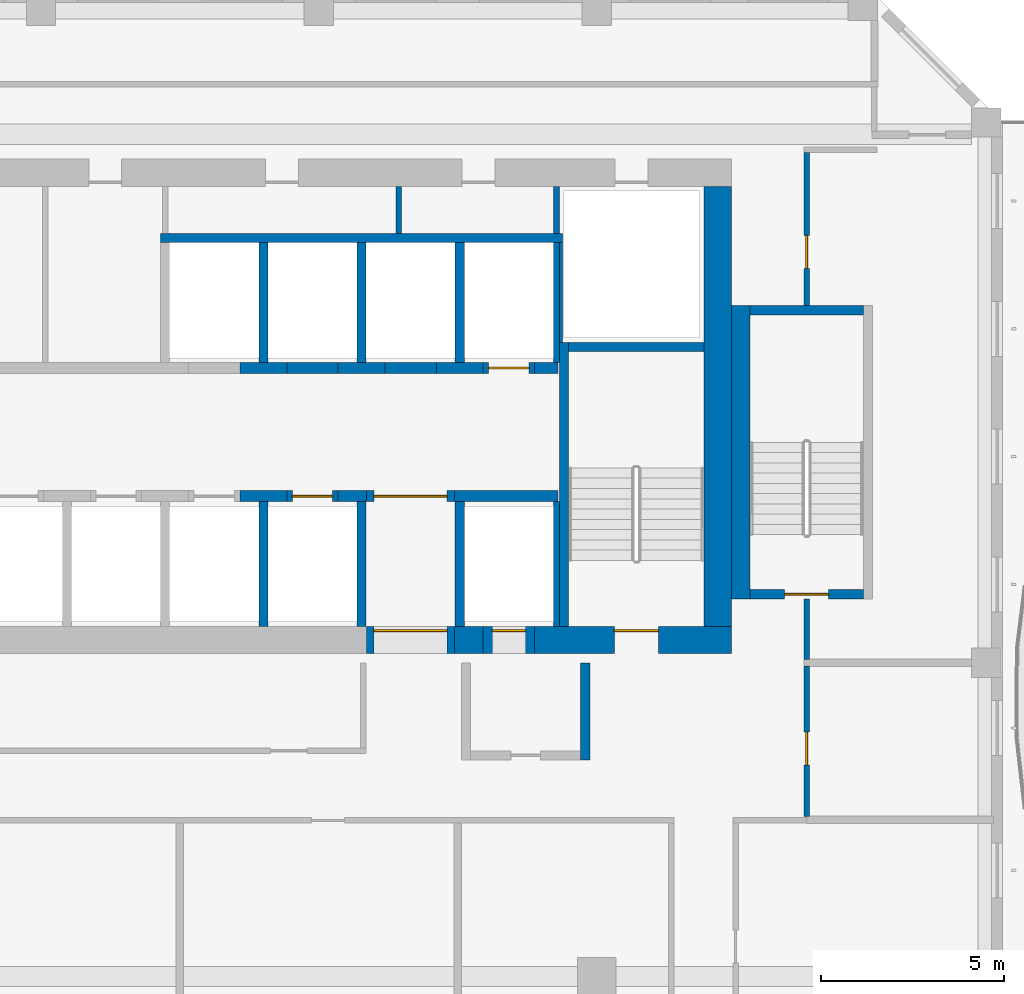
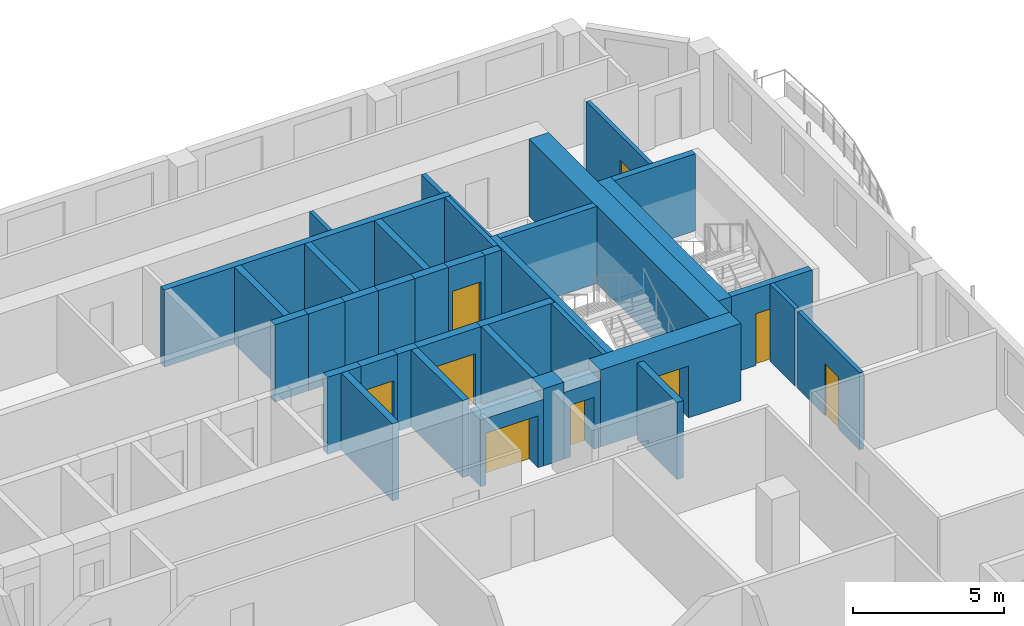
# One storey, part 9 of 21: 38 walls, 9 doors, 9 openings.
"""IFC4 building model written with IfcOpenShell, lengths in metres."""

from ifc_helpers import new_model, si_unit, direction, frame, frame_2d, origin, place, context, subcontext, project, spatial, rectangle, extrude, source, transform, mapped, material, layer, layer_set, type_object, element, fill, save


model = new_model("IFC4")

# Units and contexts
model_context = context("Model", 3, precision=1e-05, world=origin(), true_north=direction((0.0, 1.0)))
body_context = subcontext(model_context, "Body", "Model", "MODEL_VIEW")
ifc_project = project(units=[si_unit("LENGTHUNIT", "METRE"), si_unit("AREAUNIT", "SQUARE_METRE"), si_unit("VOLUMEUNIT", "CUBIC_METRE"), si_unit("PLANEANGLEUNIT", "RADIAN"), si_unit("MASSUNIT", "GRAM", prefix="KILO")], contexts=[model_context])

# Site, building, storey
site_placement = place(None, origin())
site = spatial("IfcSite", under=ifc_project, at=site_placement, CompositionType="ELEMENT")
building_placement = place(site_placement, origin())
building = spatial("IfcBuilding", under=site, at=building_placement, Name="Kilnfold Tower and Market Hall", CompositionType="ELEMENT")
storey_placement = place(building_placement, frame((0.0, 0.0, 185.5)))
storey = spatial("IfcBuildingStorey", under=building, at=storey_placement, Name="L44", CompositionType="ELEMENT", Elevation=185.5)

# Wall, opening, door
ifc_material_1 = material(Name="Gypsum board on steel studs", Category="steel")
ifc_layer_1 = layer(ifc_material_1, 0.14990234375)
ifc_layer_set_1 = layer_set([ifc_layer_1], Name="Gypsum board on steel studs")
wall_type_1 = type_object("IfcWallType", Name="WALL CORRIDOR 150", PredefinedType="PARTITIONING", material=ifc_layer_set_1)
wall_1_placement = place(storey_placement, frame((19.89990234375, 3.80908203125, 0.0), z_axis=(0.0, 0.0, 1.0), x_axis=(0.0, 1.0, 0.0)))
wall_1 = element("IfcWall", 1, at=wall_1_placement, inside=storey, type_object=wall_type_1, Name="Partition LY27.29", PredefinedType="PARTITIONING", context=body_context, shape_type="SweptSolid", body=[
    extrude(rectangle(XDim=4.100830078125, YDim=0.14990234375, at=frame_2d((2.05029296875, 0.0))), origin(), (0.0, 0.0, 1.0), 3.1201171875),
])
opening_1_placement = place(wall_1_placement, frame((1.39990234375, 0.0, 0.0)))
opening_1 = element("IfcOpeningElement", 2, at=opening_1_placement, cuts=wall_1, Name="Opening D2", PredefinedType="OPENING", context=body_context, shape_type="SweptSolid", body=[
    extrude(rectangle(XDim=0.89990234375, YDim=2.10009765625, at=frame_2d((0.449951171875, 1.050048828125))), frame((0.0, 0.0849609375, 0.0), z_axis=(0.0, -1.0, 0.0), x_axis=(1.0, 0.0, 0.0)), (0.0, 0.0, 1.0), 0.169921875),
])
ifc_material_2 = material(Name="Timber veneer door leaf in steel frame", Category="steel")
door_type_1 = type_object("IfcDoorType", Name="DOOR ROOM 900 X2100", OperationType="NOTDEFINED", PredefinedType="DOOR", material=ifc_material_2)
door_1_placement = place(opening_1_placement, origin())
door_1 = element("IfcDoor", 3, at=door_1_placement, inside=storey, type_object=door_type_1, Name="Door D2", OperationType="SINGLE_SWING_LEFT", OverallHeight=2.10009765625, OverallWidth=0.89990234375, PredefinedType="DOOR", context=body_context, shape_type="SweptSolid", body=[
    extrude(rectangle(XDim=0.89990234375, YDim=2.10009765625, at=frame_2d((0.449951171875, 1.050048828125))), frame((0.0, 0.02490234375, 0.0), z_axis=(0.0, -1.0, 0.0), x_axis=(1.0, 0.0, 0.0)), (0.0, 0.0, 1.0), 0.050048828125),
])
fill(opening_1, door_1)

wall_2_placement = place(storey_placement, frame((19.89990234375, 17.75, 0.0), z_axis=(0.0, 0.0, 1.0), x_axis=(0.0, 1.0, 0.0)))
wall_2 = element("IfcWall", 4, at=wall_2_placement, inside=storey, type_object=wall_type_1, Name="Partition LY27.31", PredefinedType="PARTITIONING", context=body_context, shape_type="SweptSolid", body=[
    extrude(rectangle(XDim=4.175048828125, YDim=0.14990234375, at=frame_2d((2.08740234375, 0.0))), origin(), (0.0, 0.0, 1.0), 3.1201171875),
])
opening_2_placement = place(wall_2_placement, frame((1.02099609375, 0.0, 0.0)))
opening_2 = element("IfcOpeningElement", 5, at=opening_2_placement, cuts=wall_2, Name="Opening D2", PredefinedType="OPENING", context=body_context, shape_type="SweptSolid", body=[
    extrude(rectangle(XDim=0.89990234375, YDim=2.10009765625, at=frame_2d((0.449951171875, 1.050048828125))), frame((0.0, 0.0849609375, 0.0), z_axis=(0.0, -1.0, 0.0), x_axis=(1.0, 0.0, 0.0)), (0.0, 0.0, 1.0), 0.169921875),
])
door_2_placement = place(opening_2_placement, origin())
door_2 = element("IfcDoor", 6, at=door_2_placement, inside=storey, type_object=door_type_1, Name="Door D2", OperationType="SINGLE_SWING_LEFT", OverallHeight=2.10009765625, OverallWidth=0.89990234375, PredefinedType="DOOR", context=body_context, shape_type="SweptSolid", body=[
    extrude(rectangle(XDim=0.89990234375, YDim=2.10009765625, at=frame_2d((0.449951171875, 1.050048828125))), frame((0.0, 0.02490234375, 0.0), z_axis=(0.0, -1.0, 0.0), x_axis=(1.0, 0.0, 0.0)), (0.0, 0.0, 1.0), 0.050048828125),
])
fill(opening_2, door_2)

# Walls
wall_3_placement = place(storey_placement, frame((19.89990234375, 8.090087890625, 0.0), z_axis=(0.0, 0.0, 1.0), x_axis=(0.0, 1.0, 0.0)))
element("IfcWall", 7, at=wall_3_placement, inside=storey, type_object=wall_type_1, Name="Partition LY27.32", PredefinedType="PARTITIONING", context=body_context, shape_type="SweptSolid", body=[
    extrude(rectangle(XDim=1.659912109375, YDim=0.14990234375, at=frame_2d((0.830078125, 0.0))), origin(), (0.0, 0.0, 1.0), 3.1201171875),
])
ifc_material_3 = material(Name="Concrete C60", Category="concrete")
ifc_layer_2 = layer(ifc_material_3, 0.25)
ifc_layer_set_2 = layer_set([ifc_layer_2], Name="Concrete C60")
wall_type_2 = type_object("IfcWallType", Name="CORE WALL 250 C60", PredefinedType="SHEAR", material=ifc_layer_set_2)
shared_shape_1 = source(origin(), body_context, "Body", "SweptSolid", [
    extrude(rectangle(XDim=7.75, YDim=0.25, at=frame_2d((3.875, 0.0))), origin(), (0.0, 0.0, 1.0), 3.1201171875),
])
wall_4_placement = place(storey_placement, frame((13.27490234375, 9.0, 0.0), z_axis=(0.0, 0.0, 1.0), x_axis=(0.0, 1.0, 0.0)))
element("IfcWall", 8, at=wall_4_placement, inside=storey, type_object=wall_type_2, Name="Stair enclosure ST2", PredefinedType="SHEAR", context=body_context, shape_type="MappedRepresentation", body=[
    mapped(shared_shape_1, transform((0.0, 0.0, 0.0))),
])
shared_shape_2 = source(origin(), body_context, "Body", "SweptSolid", [
    extrude(rectangle(XDim=3.7001953125, YDim=0.25, at=frame_2d((1.85009765625, 0.0))), origin(), (0.0, 0.0, 1.0), 3.1201171875),
])
wall_5_placement = place(storey_placement, frame((13.39990234375, 16.625, 0.0), z_axis=(0.0, 0.0, 1.0), x_axis=(1.0, 0.0, 0.0)))
element("IfcWall", 9, at=wall_5_placement, inside=storey, type_object=wall_type_2, Name="Stair enclosure ST2", PredefinedType="SHEAR", context=body_context, shape_type="MappedRepresentation", body=[
    mapped(shared_shape_2, transform((0.0, 0.0, 0.0))),
])

# Wall, opening, door
shared_shape_3 = source(origin(), body_context, "Body", "SweptSolid", [
    extrude(rectangle(XDim=3.099853515625, YDim=0.25, at=frame_2d((1.5498046875, 0.0))), origin(), (0.0, 0.0, 1.0), 3.1201171875),
])
wall_6_placement = place(storey_placement, frame((18.35009765625, 9.875, 0.0), z_axis=(0.0, 0.0, 1.0), x_axis=(1.0, 0.0, 0.0)))
wall_6 = element("IfcWall", 10, at=wall_6_placement, inside=storey, type_object=wall_type_2, Name="Stair enclosure ST5", PredefinedType="SHEAR", context=body_context, shape_type="MappedRepresentation", body=[
    mapped(shared_shape_3, transform((0.0, 0.0, 0.0))),
])
opening_3_placement = place(wall_6_placement, frame((0.949951171875, 0.0, 0.0)))
opening_3 = element("IfcOpeningElement", 11, at=opening_3_placement, cuts=wall_6, Name="Opening SD1", PredefinedType="OPENING", context=body_context, shape_type="SweptSolid", body=[
    extrude(rectangle(XDim=1.199951171875, YDim=2.10009765625, at=frame_2d((0.60009765625, 1.050048828125))), frame((0.0, 0.135009765625, 0.0), z_axis=(0.0, -1.0, 0.0), x_axis=(1.0, 0.0, 0.0)), (0.0, 0.0, 1.0), 0.27001953125),
])
ifc_material_4 = material(Name="Steel door set with fire-resisting leaf", Category="steel")
door_type_2 = type_object("IfcDoorType", Name="STAIR FLOOR DOOR 1200X2100", OperationType="NOTDEFINED", PredefinedType="DOOR", material=ifc_material_4)
door_3_placement = place(opening_3_placement, origin())
door_3 = element("IfcDoor", 12, at=door_3_placement, inside=storey, type_object=door_type_2, Name="Exit stair ST5 door", OperationType="DOUBLE_DOOR_SINGLE_SWING", OverallHeight=2.10009765625, OverallWidth=1.199951171875, PredefinedType="DOOR", context=body_context, shape_type="SweptSolid", body=[
    extrude(rectangle(XDim=1.199951171875, YDim=2.10009765625, at=frame_2d((0.60009765625, 1.050048828125))), frame((0.0, 0.02490234375, 0.0), z_axis=(0.0, -1.0, 0.0), x_axis=(1.0, 0.0, 0.0)), (0.0, 0.0, 1.0), 0.050048828125),
])
fill(opening_3, door_3)

# Walls
wall_7_placement = place(storey_placement, frame((18.35009765625, 17.625, 0.0), z_axis=(0.0, 0.0, 1.0), x_axis=(1.0, 0.0, 0.0)))
element("IfcWall", 13, at=wall_7_placement, inside=storey, type_object=wall_type_2, Name="Stair enclosure ST5", PredefinedType="SHEAR", context=body_context, shape_type="MappedRepresentation", body=[
    mapped(shared_shape_3, transform((0.0, 0.0, 0.0))),
])
ifc_material_5 = material(Name="Concrete C60", Category="concrete")
ifc_layer_3 = layer(ifc_material_5, 0.300048828125)
ifc_layer_set_3 = layer_set([ifc_layer_3], Name="Concrete C60")
wall_type_3 = type_object("IfcWallType", Name="CORE WALL 300 C60", PredefinedType="SHEAR", material=ifc_layer_set_3)
shared_shape_4 = source(origin(), body_context, "Body", "SweptSolid", [
    extrude(rectangle(XDim=1.280029296875, YDim=0.300048828125, at=frame_2d((0.64013671875, 0.0))), origin(), (0.0, 0.0, 1.0), 3.1201171875),
])
for number, where, z_axis, x_axis, name in (
    (14, (4.429931640625, 12.550048828125, 0.0), (0.0, 0.0, 1.0), (1.0, 0.0, 0.0), "Core spine wall"),
    (15, (4.429931640625, 16.050048828125, 0.0), (0.0, 0.0, 1.0), (1.0, 0.0, 0.0), "Core spine wall"),
    (16, (9.7900390625, 16.050048828125, 0.0), (0.0, 0.0, 1.0), (1.0, 0.0, 0.0), "Core spine wall"),
):
    element("IfcWall", number, at=place(storey_placement, frame(where, z_axis=z_axis, x_axis=x_axis)), inside=storey, type_object=wall_type_3, Name=name, PredefinedType="SHEAR", context=body_context, shape_type="MappedRepresentation", body=[
        mapped(shared_shape_4, transform((0.0, 0.0, 0.0))),
    ])
shared_shape_5 = source(origin(), body_context, "Body", "SweptSolid", [
    extrude(rectangle(XDim=0.77978515625, YDim=0.300048828125, at=frame_2d((0.389892578125, 0.0))), origin(), (0.0, 0.0, 1.0), 3.1201171875),
])
wall_8_placement = place(storey_placement, frame((7.110107421875, 12.550048828125, 0.0), z_axis=(0.0, 0.0, 1.0), x_axis=(1.0, 0.0, 0.0)))
element("IfcWall", 17, at=wall_8_placement, inside=storey, type_object=wall_type_3, Name="Core spine wall", PredefinedType="SHEAR", context=body_context, shape_type="MappedRepresentation", body=[
    mapped(shared_shape_5, transform((0.0, 0.0, 0.0))),
])
shared_shape_6 = source(origin(), body_context, "Body", "SweptSolid", [
    extrude(rectangle(XDim=2.820068359375, YDim=0.300048828125, at=frame_2d((1.41015625, 0.0))), origin(), (0.0, 0.0, 1.0), 3.1201171875),
])
wall_9_placement = place(storey_placement, frame((10.2900390625, 12.550048828125, 0.0), z_axis=(0.0, 0.0, 1.0), x_axis=(1.0, 0.0, 0.0)))
element("IfcWall", 18, at=wall_9_placement, inside=storey, type_object=wall_type_3, Name="Core spine wall", PredefinedType="SHEAR", context=body_context, shape_type="MappedRepresentation", body=[
    mapped(shared_shape_6, transform((0.0, 0.0, 0.0))),
])
shared_shape_7 = source(origin(), body_context, "Body", "SweptSolid", [
    extrude(rectangle(XDim=1.27978515625, YDim=0.300048828125, at=frame_2d((0.639892578125, 0.0))), origin(), (0.0, 0.0, 1.0), 3.1201171875),
])
wall_10_placement = place(storey_placement, frame((7.110107421875, 16.050048828125, 0.0), z_axis=(0.0, 0.0, 1.0), x_axis=(1.0, 0.0, 0.0)))
element("IfcWall", 19, at=wall_10_placement, inside=storey, type_object=wall_type_3, Name="Core spine wall", PredefinedType="SHEAR", context=body_context, shape_type="MappedRepresentation", body=[
    mapped(shared_shape_7, transform((0.0, 0.0, 0.0))),
])
shared_shape_8 = source(origin(), body_context, "Body", "SweptSolid", [
    extrude(rectangle(XDim=0.64013671875, YDim=0.300048828125, at=frame_2d((0.320068359375, 0.0))), origin(), (0.0, 0.0, 1.0), 3.1201171875),
])
wall_11_placement = place(storey_placement, frame((12.469970703125, 16.050048828125, 0.0), z_axis=(0.0, 0.0, 1.0), x_axis=(1.0, 0.0, 0.0)))
element("IfcWall", 20, at=wall_11_placement, inside=storey, type_object=wall_type_3, Name="Core spine wall", PredefinedType="SHEAR", context=body_context, shape_type="MappedRepresentation", body=[
    mapped(shared_shape_8, transform((0.0, 0.0, 0.0))),
])
ifc_material_6 = material(Name="Concrete C60", Category="concrete")
ifc_layer_4 = layer(ifc_material_6, 0.75)
ifc_layer_set_4 = layer_set([ifc_layer_4], Name="Concrete C60")
wall_type_4 = type_object("IfcWallType", Name="CORE WALL 750 C60", PredefinedType="SHEAR", material=ifc_layer_set_4)
shared_shape_9 = source(origin(), body_context, "Body", "SweptSolid", [
    extrude(rectangle(XDim=0.780029296875, YDim=0.75, at=frame_2d((0.39013671875, 0.0))), origin(), (0.0, 0.0, 1.0), 3.1201171875),
])
wall_12_placement = place(storey_placement, frame((10.2900390625, 8.625, 0.0), z_axis=(0.0, 0.0, 1.0), x_axis=(1.0, 0.0, 0.0)))
element("IfcWall", 21, at=wall_12_placement, inside=storey, type_object=wall_type_4, Name="Core outer wall south", PredefinedType="SHEAR", context=body_context, shape_type="MappedRepresentation", body=[
    mapped(shared_shape_9, transform((0.0, 0.0, 0.0))),
])

# Wall, opening, door
shared_shape_10 = source(origin(), body_context, "Body", "SweptSolid", [
    extrude(rectangle(XDim=5.380126953125, YDim=0.75, at=frame_2d((2.68994140625, 0.0))), origin(), (0.0, 0.0, 1.0), 3.1201171875),
])
wall_13_placement = place(storey_placement, frame((12.469970703125, 8.625, 0.0), z_axis=(0.0, 0.0, 1.0), x_axis=(1.0, 0.0, 0.0)))
wall_13 = element("IfcWall", 22, at=wall_13_placement, inside=storey, type_object=wall_type_4, Name="Core outer wall south", PredefinedType="SHEAR", context=body_context, shape_type="MappedRepresentation", body=[
    mapped(shared_shape_10, transform((0.0, 0.0, 0.0))),
])
opening_4_placement = place(wall_13_placement, frame((2.179931640625, 0.0, 0.0)))
opening_4 = element("IfcOpeningElement", 23, at=opening_4_placement, cuts=wall_13, Name="Opening SD1", PredefinedType="OPENING", context=body_context, shape_type="SweptSolid", body=[
    extrude(rectangle(XDim=1.199951171875, YDim=2.10009765625, at=frame_2d((0.60009765625, 1.050048828125))), frame((0.0, 0.385009765625, 0.0), z_axis=(0.0, -1.0, 0.0), x_axis=(1.0, 0.0, 0.0)), (0.0, 0.0, 1.0), 0.77001953125),
])
door_4_placement = place(opening_4_placement, origin())
door_4 = element("IfcDoor", 24, at=door_4_placement, inside=storey, type_object=door_type_2, Name="Exit stair ST2 door", OperationType="DOUBLE_DOOR_SINGLE_SWING", OverallHeight=2.10009765625, OverallWidth=1.199951171875, PredefinedType="DOOR", context=body_context, shape_type="SweptSolid", body=[
    extrude(rectangle(XDim=1.199951171875, YDim=2.10009765625, at=frame_2d((0.60009765625, 1.050048828125))), frame((0.0, 0.27978515625, 0.0), z_axis=(0.0, -1.0, 0.0), x_axis=(1.0, 0.0, 0.0)), (0.0, 0.0, 1.0), 0.050048828125),
])
fill(opening_4, door_4)

# Walls
shared_shape_11 = source(origin(), body_context, "Body", "SweptSolid", [
    extrude(rectangle(XDim=12.0, YDim=0.75, at=frame_2d((6.0, 0.0))), origin(), (0.0, 0.0, 1.0), 3.1201171875),
])
wall_14_placement = place(storey_placement, frame((17.47509765625, 9.0, 0.0), z_axis=(0.0, 0.0, 1.0), x_axis=(0.0, 1.0, 0.0)))
element("IfcWall", 25, at=wall_14_placement, inside=storey, type_object=wall_type_4, Name="Core outer wall east", PredefinedType="SHEAR", context=body_context, shape_type="MappedRepresentation", body=[
    mapped(shared_shape_11, transform((0.0, 0.0, 0.0))),
])
ifc_material_7 = material(Name="Concrete C60", Category="concrete")
ifc_layer_5 = layer(ifc_material_7, 0.5)
ifc_layer_set_5 = layer_set([ifc_layer_5], Name="Concrete C60")
wall_type_5 = type_object("IfcWallType", Name="CORE WALL 500 C60", PredefinedType="SHEAR", material=ifc_layer_set_5)
shared_shape_12 = source(origin(), body_context, "Body", "SweptSolid", [
    extrude(rectangle(XDim=8.0, YDim=0.5, at=frame_2d((4.0, 0.0))), origin(), (0.0, 0.0, 1.0), 3.1201171875),
])
wall_15_placement = place(storey_placement, frame((18.10009765625, 9.75, 0.0), z_axis=(0.0, 0.0, 1.0), x_axis=(0.0, 1.0, 0.0)))
element("IfcWall", 26, at=wall_15_placement, inside=storey, type_object=wall_type_5, Name="Stair enclosure ST5", PredefinedType="SHEAR", context=body_context, shape_type="MappedRepresentation", body=[
    mapped(shared_shape_12, transform((0.0, 0.0, 0.0))),
])

# Wall, opening, door
ifc_material_8 = material(Name="Gypsum shaft wall system")
ifc_layer_6 = layer(ifc_material_8, 0.300048828125)
ifc_layer_set_6 = layer_set([ifc_layer_6], Name="Gypsum shaft wall system")
wall_type_6 = type_object("IfcWallType", Name="SHAFT WALL 300", PredefinedType="PARTITIONING", material=ifc_layer_set_6)
shared_shape_13 = source(origin(), body_context, "Body", "SweptSolid", [
    extrude(rectangle(XDim=1.39990234375, YDim=0.300048828125, at=frame_2d((0.699951171875, 0.0))), origin(), (0.0, 0.0, 1.0), 3.1201171875),
])
wall_16_placement = place(storey_placement, frame((11.070068359375, 16.050048828125, 0.0), z_axis=(0.0, 0.0, 1.0), x_axis=(1.0, 0.0, 0.0)))
wall_16 = element("IfcWall", 27, at=wall_16_placement, inside=storey, type_object=wall_type_6, Name="Lift shaft front wall", PredefinedType="PARTITIONING", context=body_context, shape_type="MappedRepresentation", body=[
    mapped(shared_shape_13, transform((0.0, 0.0, 0.0))),
])
opening_5_placement = place(wall_16_placement, frame((0.14990234375, 0.0, 0.0)))
opening_5 = element("IfcOpeningElement", 28, at=opening_5_placement, cuts=wall_16, Name="Opening LD2", PredefinedType="OPENING", context=body_context, shape_type="SweptSolid", body=[
    extrude(rectangle(XDim=1.10009765625, YDim=2.10009765625, at=frame_2d((0.550048828125, 1.050048828125))), frame((0.0, 0.16015625, 0.0), z_axis=(0.0, -1.0, 0.0), x_axis=(1.0, 0.0, 0.0)), (0.0, 0.0, 1.0), 0.320068359375),
])
ifc_material_9 = material(Name="Steel door set with fire-resisting leaf", Category="steel")
door_type_3 = type_object("IfcDoorType", Name="LANDING DOOR 1100X2100", OperationType="NOTDEFINED", PredefinedType="DOOR", material=ifc_material_9)
door_5_placement = place(opening_5_placement, origin())
door_5 = element("IfcDoor", 29, at=door_5_placement, inside=storey, type_object=door_type_3, Name="Landing door MR6", OperationType="DOUBLE_DOOR_SLIDING", OverallHeight=2.10009765625, OverallWidth=1.10009765625, PredefinedType="DOOR", context=body_context, shape_type="SweptSolid", body=[
    extrude(rectangle(XDim=1.10009765625, YDim=2.10009765625, at=frame_2d((0.550048828125, 1.050048828125))), frame((0.0, 0.02490234375, 0.0), z_axis=(0.0, -1.0, 0.0), x_axis=(1.0, 0.0, 0.0)), (0.0, 0.0, 1.0), 0.050048828125),
])
fill(opening_5, door_5)

shared_shape_14 = source(origin(), body_context, "Body", "SweptSolid", [
    extrude(rectangle(XDim=1.400146484375, YDim=0.300048828125, at=frame_2d((0.7001953125, 0.0))), origin(), (0.0, 0.0, 1.0), 3.1201171875),
])
wall_17_placement = place(storey_placement, frame((5.7099609375, 12.550048828125, 0.0), z_axis=(0.0, 0.0, 1.0), x_axis=(1.0, 0.0, 0.0)))
wall_17 = element("IfcWall", 30, at=wall_17_placement, inside=storey, type_object=wall_type_6, Name="Lift shaft front wall", PredefinedType="PARTITIONING", context=body_context, shape_type="MappedRepresentation", body=[
    mapped(shared_shape_14, transform((0.0, 0.0, 0.0))),
])
opening_6_placement = place(wall_17_placement, frame((0.14990234375, 0.0, 0.0)))
opening_6 = element("IfcOpeningElement", 31, at=opening_6_placement, cuts=wall_17, Name="Opening LD2", PredefinedType="OPENING", context=body_context, shape_type="SweptSolid", body=[
    extrude(rectangle(XDim=1.10009765625, YDim=2.10009765625, at=frame_2d((0.550048828125, 1.050048828125))), frame((0.0, 0.16015625, 0.0), z_axis=(0.0, -1.0, 0.0), x_axis=(1.0, 0.0, 0.0)), (0.0, 0.0, 1.0), 0.320068359375),
])
door_6_placement = place(opening_6_placement, origin())
door_6 = element("IfcDoor", 32, at=door_6_placement, inside=storey, type_object=door_type_3, Name="Landing door MR5", OperationType="DOUBLE_DOOR_SLIDING", OverallHeight=2.10009765625, OverallWidth=1.10009765625, PredefinedType="DOOR", context=body_context, shape_type="SweptSolid", body=[
    extrude(rectangle(XDim=1.10009765625, YDim=2.10009765625, at=frame_2d((0.550048828125, 1.050048828125))), frame((0.0, 0.02490234375, 0.0), z_axis=(0.0, -1.0, 0.0), x_axis=(1.0, 0.0, 0.0)), (0.0, 0.0, 1.0), 0.050048828125),
])
fill(opening_6, door_6)

# Walls
for number, where, z_axis, x_axis, name in (
    (33, (5.7099609375, 16.050048828125, 0.0), (0.0, 0.0, 1.0), (1.0, 0.0, 0.0), "Lift shaft front wall"),
    (34, (8.389892578125, 16.050048828125, 0.0), (0.0, 0.0, 1.0), (1.0, 0.0, 0.0), "Lift shaft front wall"),
):
    element("IfcWall", number, at=place(storey_placement, frame(where, z_axis=z_axis, x_axis=x_axis)), inside=storey, type_object=wall_type_6, Name=name, PredefinedType="PARTITIONING", context=body_context, shape_type="MappedRepresentation", body=[
        mapped(shared_shape_14, transform((0.0, 0.0, 0.0))),
    ])

# Wall, opening, door
shared_shape_15 = source(origin(), body_context, "Body", "SweptSolid", [
    extrude(rectangle(XDim=2.400146484375, YDim=0.300048828125, at=frame_2d((1.2001953125, 0.0))), origin(), (0.0, 0.0, 1.0), 3.1201171875),
])
wall_18_placement = place(storey_placement, frame((7.889892578125, 12.550048828125, 0.0), z_axis=(0.0, 0.0, 1.0), x_axis=(1.0, 0.0, 0.0)))
wall_18 = element("IfcWall", 35, at=wall_18_placement, inside=storey, type_object=wall_type_6, Name="Lift shaft front wall", PredefinedType="PARTITIONING", context=body_context, shape_type="MappedRepresentation", body=[
    mapped(shared_shape_15, transform((0.0, 0.0, 0.0))),
])
opening_7_placement = place(wall_18_placement, frame((0.199951171875, 0.0, 0.0)))
opening_7 = element("IfcOpeningElement", 36, at=opening_7_placement, cuts=wall_18, Name="Opening VD2", PredefinedType="OPENING", context=body_context, shape_type="SweptSolid", body=[
    extrude(rectangle(XDim=2.0, YDim=2.10009765625, at=frame_2d((1.0, 1.050048828125))), frame((0.0, 0.16015625, 0.0), z_axis=(0.0, -1.0, 0.0), x_axis=(1.0, 0.0, 0.0)), (0.0, 0.0, 1.0), 0.320068359375),
])
ifc_material_10 = material(Name="Steel door set with fire-resisting leaf", Category="steel")
door_type_4 = type_object("IfcDoorType", Name="LIFT LOBBY ENTRANCE DOOR 2000X2100", OperationType="NOTDEFINED", PredefinedType="DOOR", material=ifc_material_10)
door_7_placement = place(opening_7_placement, origin())
door_7 = element("IfcDoor", 37, at=door_7_placement, inside=storey, type_object=door_type_4, Name="Lift lobby entrance door", OperationType="DOUBLE_DOOR_SINGLE_SWING", OverallHeight=2.10009765625, OverallWidth=2.0, PredefinedType="DOOR", context=body_context, shape_type="SweptSolid", body=[
    extrude(rectangle(XDim=2.0, YDim=2.10009765625, at=frame_2d((1.0, 1.050048828125))), frame((0.0, 0.02490234375, 0.0), z_axis=(0.0, -1.0, 0.0), x_axis=(1.0, 0.0, 0.0)), (0.0, 0.0, 1.0), 0.050048828125),
])
fill(opening_7, door_7)

# Walls
ifc_material_11 = material(Name="Gypsum shaft wall system")
ifc_layer_7 = layer(ifc_material_11, 0.25)
ifc_layer_set_7 = layer_set([ifc_layer_7], Name="Gypsum shaft wall system")
wall_type_7 = type_object("IfcWallType", Name="LOBBY WALL 250", PredefinedType="PARTITIONING", material=ifc_layer_set_7)
shared_shape_16 = source(origin(), body_context, "Body", "SweptSolid", [
    extrude(rectangle(XDim=2.64990234375, YDim=0.25, at=frame_2d((1.324951171875, 0.0))), origin(), (0.0, 0.0, 1.0), 3.1201171875),
])
wall_19_placement = place(storey_placement, frame((13.85498046875, 5.35009765625, 0.0), z_axis=(0.0, 0.0, 1.0), x_axis=(0.0, 1.0, 0.0)))
element("IfcWall", 38, at=wall_19_placement, inside=storey, type_object=wall_type_7, Name="Firefighting lobby wall", PredefinedType="PARTITIONING", context=body_context, shape_type="MappedRepresentation", body=[
    mapped(shared_shape_16, transform((0.0, 0.0, 0.0))),
])
ifc_material_12 = material(Name="Gypsum shaft wall system")
ifc_layer_8 = layer(ifc_material_12, 0.1650390625)
ifc_layer_set_8 = layer_set([ifc_layer_8], Name="Gypsum shaft wall system")
wall_type_8 = type_object("IfcWallType", Name="SHAFT WALL 165", PredefinedType="PARTITIONING", material=ifc_layer_set_8)
shared_shape_17 = source(origin(), body_context, "Body", "SweptSolid", [
    extrude(rectangle(XDim=3.275146484375, YDim=0.1650390625, at=frame_2d((1.6376953125, 0.0))), origin(), (0.0, 0.0, 1.0), 3.1201171875),
])
wall_20_placement = place(storey_placement, frame((13.0673828125, 16.199951171875, 0.0), z_axis=(0.0, 0.0, 1.0), x_axis=(0.0, 1.0, 0.0)))
element("IfcWall", 39, at=wall_20_placement, inside=storey, type_object=wall_type_8, Name="Lift shaft wall", PredefinedType="PARTITIONING", context=body_context, shape_type="MappedRepresentation", body=[
    mapped(shared_shape_17, transform((0.0, 0.0, 0.0))),
])
shared_shape_18 = source(origin(), body_context, "Body", "SweptSolid", [
    extrude(rectangle(XDim=1.27490234375, YDim=0.1650390625, at=frame_2d((0.637451171875, 0.0))), origin(), (0.0, 0.0, 1.0), 3.1201171875),
])
wall_21_placement = place(storey_placement, frame((13.0673828125, 19.72509765625, 0.0), z_axis=(0.0, 0.0, 1.0), x_axis=(0.0, 1.0, 0.0)))
element("IfcWall", 40, at=wall_21_placement, inside=storey, type_object=wall_type_8, Name="Lift shaft wall", PredefinedType="PARTITIONING", context=body_context, shape_type="MappedRepresentation", body=[
    mapped(shared_shape_18, transform((0.0, 0.0, 0.0))),
])
ifc_material_13 = material(Name="Gypsum shaft wall system")
ifc_layer_9 = layer(ifc_material_13, 0.25)
ifc_layer_set_9 = layer_set([ifc_layer_9], Name="Gypsum shaft wall system")
wall_type_9 = type_object("IfcWallType", Name="SHAFT WALL 250", PredefinedType="PARTITIONING", material=ifc_layer_set_9)
shared_shape_19 = source(origin(), body_context, "Body", "SweptSolid", [
    extrude(rectangle(XDim=3.275146484375, YDim=0.25, at=frame_2d((1.6376953125, 0.0))), origin(), (0.0, 0.0, 1.0), 3.1201171875),
])
for number, where, z_axis, x_axis, name in (
    (41, (10.429931640625, 16.199951171875, 0.0), (0.0, 0.0, 1.0), (0.0, 1.0, 0.0), "Lift shaft wall"),
    (42, (5.070068359375, 16.199951171875, 0.0), (0.0, 0.0, 1.0), (0.0, 1.0, 0.0), "Lift shaft wall"),
    (43, (7.75, 16.199951171875, 0.0), (0.0, 0.0, 1.0), (0.0, 1.0, 0.0), "Lift shaft wall"),
):
    element("IfcWall", number, at=place(storey_placement, frame(where, z_axis=z_axis, x_axis=x_axis)), inside=storey, type_object=wall_type_9, Name=name, PredefinedType="PARTITIONING", context=body_context, shape_type="MappedRepresentation", body=[
        mapped(shared_shape_19, transform((0.0, 0.0, 0.0))),
    ])
ifc_material_14 = material(Name="Gypsum shaft wall system")
ifc_layer_10 = layer(ifc_material_14, 0.0849609375)
ifc_layer_set_10 = layer_set([ifc_layer_10], Name="Gypsum shaft wall system")
wall_type_10 = type_object("IfcWallType", Name="SHAFT WALL 85", PredefinedType="PARTITIONING", material=ifc_layer_set_10)
shared_shape_20 = source(origin(), body_context, "Body", "SweptSolid", [
    extrude(rectangle(XDim=2.72509765625, YDim=0.0849609375, at=frame_2d((1.362548828125, 0.0))), origin(), (0.0, 0.0, 1.0), 3.1201171875),
])
wall_22_placement = place(storey_placement, frame((13.1923828125, 16.75, 0.0), z_axis=(0.0, 0.0, 1.0), x_axis=(0.0, 1.0, 0.0)))
element("IfcWall", 44, at=wall_22_placement, inside=storey, type_object=wall_type_10, Name="Lift shaft wall", PredefinedType="PARTITIONING", context=body_context, shape_type="MappedRepresentation", body=[
    mapped(shared_shape_20, transform((0.0, 0.0, 0.0))),
])
shared_shape_21 = source(origin(), body_context, "Body", "SweptSolid", [
    extrude(rectangle(XDim=3.39990234375, YDim=0.25, at=frame_2d((1.699951171875, 0.0))), origin(), (0.0, 0.0, 1.0), 3.1201171875),
])
for number, where, z_axis, x_axis, name in (
    (45, (10.429931640625, 9.0, 0.0), (0.0, 0.0, 1.0), (0.0, 1.0, 0.0), "Lift shaft wall"),
    (46, (5.070068359375, 9.0, 0.0), (0.0, 0.0, 1.0), (0.0, 1.0, 0.0), "Lift shaft wall"),
    (47, (7.75, 9.0, 0.0), (0.0, 0.0, 1.0), (0.0, 1.0, 0.0), "Lift shaft wall"),
):
    element("IfcWall", number, at=place(storey_placement, frame(where, z_axis=z_axis, x_axis=x_axis)), inside=storey, type_object=wall_type_9, Name=name, PredefinedType="PARTITIONING", context=body_context, shape_type="MappedRepresentation", body=[
        mapped(shared_shape_21, transform((0.0, 0.0, 0.0))),
    ])
shared_shape_22 = source(origin(), body_context, "Body", "SweptSolid", [
    extrude(rectangle(XDim=3.39990234375, YDim=0.1650390625, at=frame_2d((1.699951171875, 0.0))), origin(), (0.0, 0.0, 1.0), 3.1201171875),
])
wall_23_placement = place(storey_placement, frame((13.0673828125, 9.0, 0.0), z_axis=(0.0, 0.0, 1.0), x_axis=(0.0, 1.0, 0.0)))
element("IfcWall", 48, at=wall_23_placement, inside=storey, type_object=wall_type_8, Name="Lift shaft wall", PredefinedType="PARTITIONING", context=body_context, shape_type="MappedRepresentation", body=[
    mapped(shared_shape_22, transform((0.0, 0.0, 0.0))),
])
ifc_material_15 = material(Name="Gypsum shaft wall system")
ifc_layer_11 = layer(ifc_material_15, 0.14990234375)
ifc_layer_set_11 = layer_set([ifc_layer_11], Name="Gypsum shaft wall system")
wall_type_11 = type_object("IfcWallType", Name="ROOM WALL 150", PredefinedType="PARTITIONING", material=ifc_layer_set_11)
shared_shape_23 = source(origin(), body_context, "Body", "SweptSolid", [
    extrude(rectangle(XDim=1.27490234375, YDim=0.14990234375, at=frame_2d((0.637451171875, 0.0))), origin(), (0.0, 0.0, 1.0), 3.1201171875),
])
wall_24_placement = place(storey_placement, frame((8.768310546875, 19.72509765625, 0.0), z_axis=(0.0, 0.0, 1.0), x_axis=(0.0, 1.0, 0.0)))
element("IfcWall", 49, at=wall_24_placement, inside=storey, type_object=wall_type_11, Name="Core room wall", PredefinedType="PARTITIONING", context=body_context, shape_type="MappedRepresentation", body=[
    mapped(shared_shape_23, transform((0.0, 0.0, 0.0))),
])
shared_shape_24 = source(origin(), body_context, "Body", "SweptSolid", [
    extrude(rectangle(XDim=10.97021484375, YDim=0.25, at=frame_2d((5.485107421875, 0.0))), origin(), (0.0, 0.0, 1.0), 3.1201171875),
])
wall_25_placement = place(storey_placement, frame((2.264892578125, 19.60009765625, 0.0), z_axis=(0.0, 0.0, 1.0), x_axis=(1.0, 0.0, 0.0)))
element("IfcWall", 50, at=wall_25_placement, inside=storey, type_object=wall_type_9, Name="Lift shaft wall", PredefinedType="PARTITIONING", context=body_context, shape_type="MappedRepresentation", body=[
    mapped(shared_shape_24, transform((0.0, 0.0, 0.0))),
])

# Wall, opening, door
ifc_material_16 = material(Name="Gypsum shaft wall system")
ifc_layer_12 = layer(ifc_material_16, 0.75)
ifc_layer_set_12 = layer_set([ifc_layer_12], Name="Gypsum shaft wall system")
wall_type_12 = type_object("IfcWallType", Name="LOBBY WALL 750", PredefinedType="PARTITIONING", material=ifc_layer_set_12)
shared_shape_25 = source(origin(), body_context, "Body", "SweptSolid", [
    extrude(rectangle(XDim=1.39990234375, YDim=0.75, at=frame_2d((0.699951171875, 0.0))), origin(), (0.0, 0.0, 1.0), 2.699951171875),
])
wall_26_placement = place(storey_placement, frame((11.070068359375, 8.625, 0.0), z_axis=(0.0, 0.0, 1.0), x_axis=(1.0, 0.0, 0.0)))
wall_26 = element("IfcWall", 51, at=wall_26_placement, inside=storey, type_object=wall_type_12, Name="Core wall infill", PredefinedType="PARTITIONING", context=body_context, shape_type="MappedRepresentation", body=[
    mapped(shared_shape_25, transform((0.0, 0.0, 0.0))),
])
opening_8_placement = place(wall_26_placement, frame((0.25, 0.0, 0.0)))
opening_8 = element("IfcOpeningElement", 52, at=opening_8_placement, cuts=wall_26, Name="Opening LD1", PredefinedType="OPENING", context=body_context, shape_type="SweptSolid", body=[
    extrude(rectangle(XDim=0.89990234375, YDim=2.10009765625, at=frame_2d((0.449951171875, 1.050048828125))), frame((0.0, 0.385009765625, 0.0), z_axis=(0.0, -1.0, 0.0), x_axis=(1.0, 0.0, 0.0)), (0.0, 0.0, 1.0), 0.77001953125),
])
ifc_material_17 = material(Name="Steel door set with fire-resisting leaf", Category="steel")
door_type_5 = type_object("IfcDoorType", Name="FIREFIGHTING LANDING DOOR 900X2100", OperationType="NOTDEFINED", PredefinedType="DOOR", material=ifc_material_17)
door_8_placement = place(opening_8_placement, origin())
door_8 = element("IfcDoor", 53, at=door_8_placement, inside=storey, type_object=door_type_5, Name="Landing door FF3", OperationType="SLIDING_TO_LEFT", OverallHeight=2.10009765625, OverallWidth=0.89990234375, PredefinedType="DOOR", context=body_context, shape_type="SweptSolid", body=[
    extrude(rectangle(XDim=0.89990234375, YDim=2.10009765625, at=frame_2d((0.449951171875, 1.050048828125))), frame((0.0, 0.27978515625, 0.0), z_axis=(0.0, -1.0, 0.0), x_axis=(1.0, 0.0, 0.0)), (0.0, 0.0, 1.0), 0.050048828125),
])
fill(opening_8, door_8)

shared_shape_26 = source(origin(), body_context, "Body", "SweptSolid", [
    extrude(rectangle(XDim=2.400146484375, YDim=0.75, at=frame_2d((1.2001953125, 0.0))), origin(), (0.0, 0.0, 1.0), 2.699951171875),
])
wall_27_placement = place(storey_placement, frame((7.889892578125, 8.625, 0.0), z_axis=(0.0, 0.0, 1.0), x_axis=(1.0, 0.0, 0.0)))
wall_27 = element("IfcWall", 54, at=wall_27_placement, inside=storey, type_object=wall_type_12, Name="Core wall infill", PredefinedType="PARTITIONING", context=body_context, shape_type="MappedRepresentation", body=[
    mapped(shared_shape_26, transform((0.0, 0.0, 0.0))),
])
opening_9_placement = place(wall_27_placement, frame((0.199951171875, 0.0, 0.0)))
opening_9 = element("IfcOpeningElement", 55, at=opening_9_placement, cuts=wall_27, Name="Opening VD2", PredefinedType="OPENING", context=body_context, shape_type="SweptSolid", body=[
    extrude(rectangle(XDim=2.0, YDim=2.10009765625, at=frame_2d((1.0, 1.050048828125))), frame((0.0, 0.385009765625, 0.0), z_axis=(0.0, -1.0, 0.0), x_axis=(1.0, 0.0, 0.0)), (0.0, 0.0, 1.0), 0.77001953125),
])
door_9_placement = place(opening_9_placement, origin())
door_9 = element("IfcDoor", 56, at=door_9_placement, inside=storey, type_object=door_type_4, Name="Lift lobby entrance door", OperationType="DOUBLE_DOOR_SINGLE_SWING", OverallHeight=2.10009765625, OverallWidth=2.0, PredefinedType="DOOR", context=body_context, shape_type="SweptSolid", body=[
    extrude(rectangle(XDim=2.0, YDim=2.10009765625, at=frame_2d((1.0, 1.050048828125))), frame((0.0, 0.27978515625, 0.0), z_axis=(0.0, -1.0, 0.0), x_axis=(1.0, 0.0, 0.0)), (0.0, 0.0, 1.0), 0.050048828125),
])
fill(opening_9, door_9)

save(model, "model.ifc")
